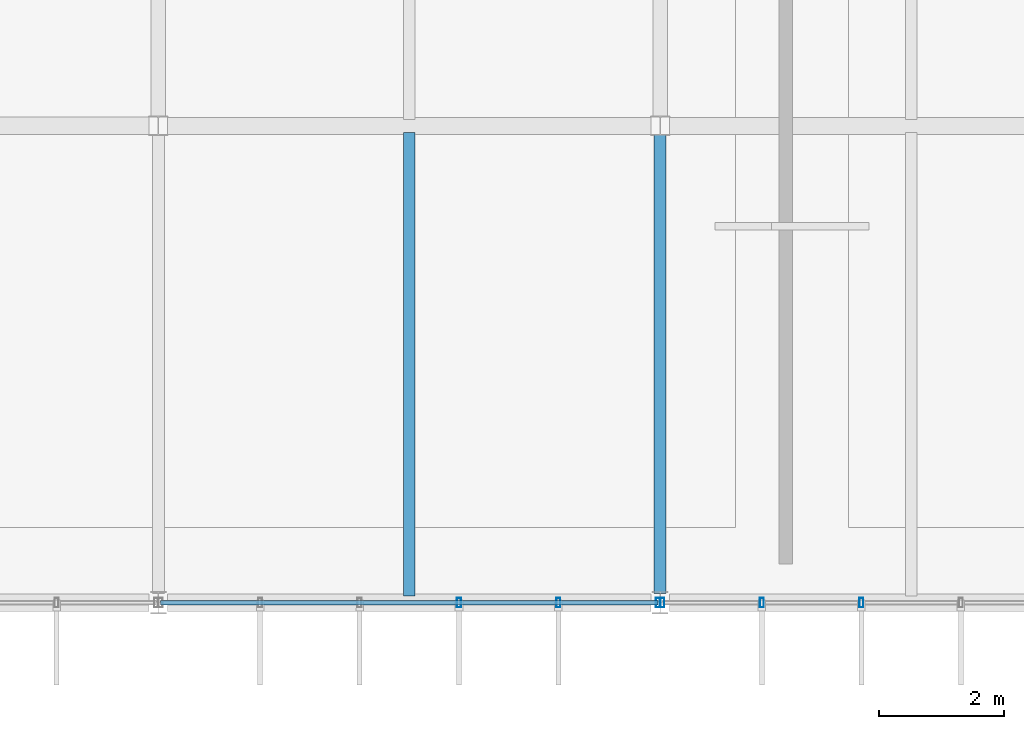
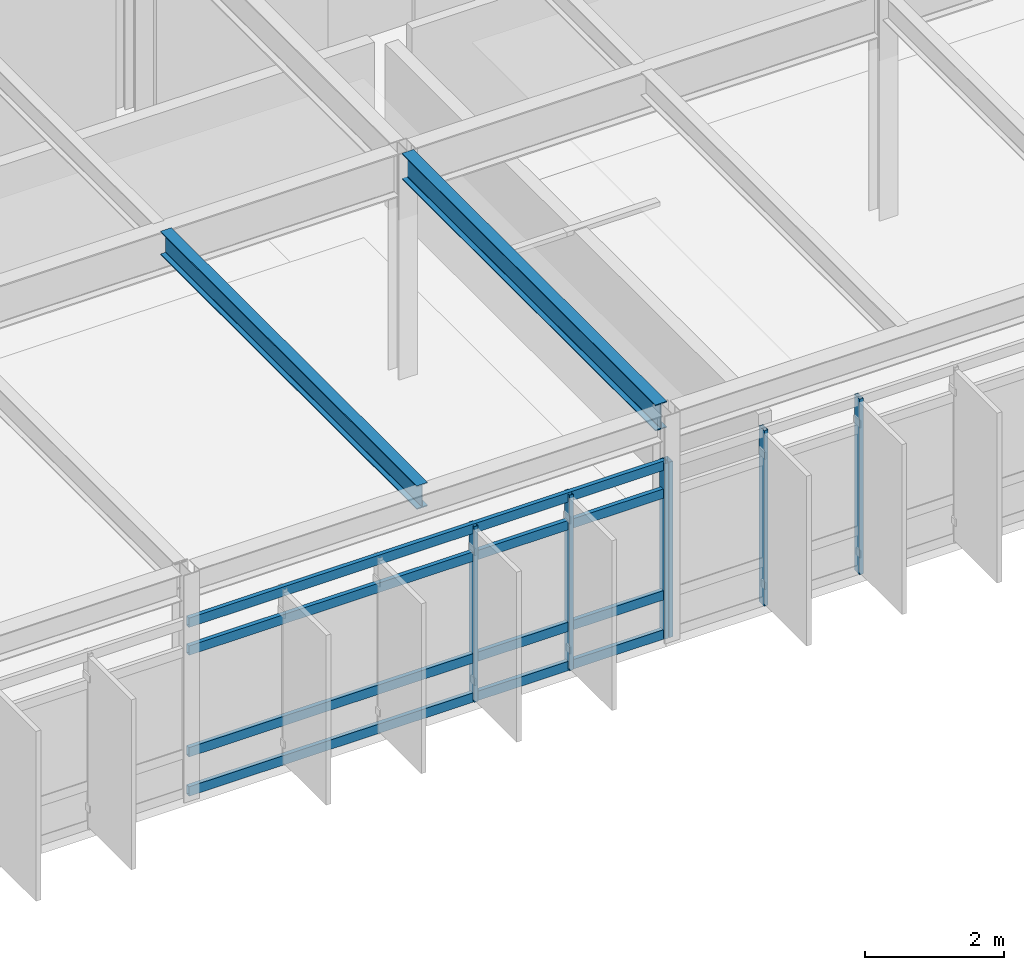
# One storey, part 6 of 21: 10 members, 2 beams, 2 elements without a shape of their own.
"""IFC4 building model written with IfcOpenShell, lengths in metres."""

from ifc_helpers import new_model, si_unit, direction, frame, origin, origin_2d, place, context, subcontext, project, spatial, hollow_rectangle, i_section, extrude, material, material_profile, profile_set, type_object, element, aggregate, save


model = new_model("IFC4")

# Units and contexts
model_context = context("Model", 3, precision=1e-05, world=origin(), true_north=direction((0.0, 1.0)))
body_context = subcontext(model_context, "Body", "Model", "MODEL_VIEW")
ifc_project = project(units=[si_unit("LENGTHUNIT", "METRE"), si_unit("AREAUNIT", "SQUARE_METRE"), si_unit("VOLUMEUNIT", "CUBIC_METRE"), si_unit("PLANEANGLEUNIT", "RADIAN"), si_unit("MASSUNIT", "GRAM", prefix="KILO")], contexts=[model_context])

# Site, building, storey
site_placement = place(None, origin())
site = spatial("IfcSite", under=ifc_project, at=site_placement, CompositionType="ELEMENT")
building_placement = place(site_placement, origin())
building = spatial("IfcBuilding", under=site, at=building_placement, Name="Zulena Civic Courthouse", CompositionType="ELEMENT")
storey_placement = place(building_placement, frame((0.0, 0.0, 37.800048828125)))
storey = spatial("IfcBuildingStorey", under=building, at=storey_placement, Name="L08", CompositionType="ELEMENT", Elevation=37.800048828125)

# Curtain wall, members
ifc_material_1 = material(Name="Double-silver low-E laminated solar-control glass", Category="glass")
curtain_wall_type = type_object("IfcCurtainWallType", Name="CW_7928x3090", PredefinedType="USERDEFINED", material=ifc_material_1)
curtain_wall_1_placement = place(storey_placement, origin())
curtain_wall_1 = element("IfcCurtainWall", 1, at=curtain_wall_1_placement, inside=storey, type_object=curtain_wall_type, Name="cw:V2:L08:3:3", ObjectType="UNITISED CURTAIN WALL", PredefinedType="USERDEFINED")
ifc_material_2 = material(Name="Bronze anodised thermally broken aluminium AA6063-T6", Category="aluminium")
ifc_material_profile_1 = material_profile(ifc_material_2, hollow_rectangle(XDim=0.06494140625, YDim=0.14990234375, WallThickness=0.00390625, at=origin_2d()), Name="CWM150X65X4")
ifc_profile_set_1 = profile_set([ifc_material_profile_1], Name="Bronze anodised thermally broken aluminium AA6063-T6")
member_type_1 = type_object("IfcMemberType", Name="CWMullion_150x65", PredefinedType="MULLION", material=ifc_profile_set_1)
member_1_placement = place(storey_placement, frame((39.207275390625, 0.0, 0.0), z_axis=(0.0, 0.0, 1.0), x_axis=(1.0, 0.0, 0.0)))
member_1 = element("IfcMember", 2, at=member_1_placement, type_object=member_type_1, Name="cw:V2:L08:3:3:mull:3", PredefinedType="MULLION", context=body_context, shape_type="SweptSolid", body=[
    extrude(hollow_rectangle(XDim=0.06494140625, YDim=0.14990234375, WallThickness=0.00390625, at=origin_2d()), origin(), (0.0, 0.0, 1.0), 3.08984375),
])
member_2_placement = place(storey_placement, frame((37.62158203125, 0.0, 0.0), z_axis=(0.0, 0.0, 1.0), x_axis=(1.0, 0.0, 0.0)))
member_2 = element("IfcMember", 3, at=member_2_placement, type_object=member_type_1, Name="cw:V2:L08:3:3:mull:4", PredefinedType="MULLION", context=body_context, shape_type="SweptSolid", body=[
    extrude(hollow_rectangle(XDim=0.06494140625, YDim=0.14990234375, WallThickness=0.00390625, at=origin_2d()), origin(), (0.0, 0.0, 1.0), 3.08984375),
])
member_3_placement = place(storey_placement, frame((36.035888671875, 0.0, 0.0), z_axis=(0.0, 0.0, 1.0), x_axis=(1.0, 0.0, 0.0)))
member_3 = element("IfcMember", 4, at=member_3_placement, type_object=member_type_1, Name="cw:V2:L08:3:3:mull:5", PredefinedType="MULLION", context=body_context, shape_type="SweptSolid", body=[
    extrude(hollow_rectangle(XDim=0.06494140625, YDim=0.14990234375, WallThickness=0.00390625, at=origin_2d()), origin(), (0.0, 0.0, 1.0), 3.08984375),
])
aggregate(curtain_wall_1, [member_1, member_2, member_3])

curtain_wall_2_placement = place(storey_placement, origin())
curtain_wall_2 = element("IfcCurtainWall", 5, at=curtain_wall_2_placement, inside=storey, type_object=curtain_wall_type, Name="cw:V2:L08:3:4", ObjectType="UNITISED CURTAIN WALL", PredefinedType="USERDEFINED")
member_4_placement = place(storey_placement, frame((35.964111328125, 0.0, 0.0), z_axis=(0.0, 0.0, 1.0), x_axis=(1.0, 0.0, 0.0)))
member_4 = element("IfcMember", 6, at=member_4_placement, type_object=member_type_1, Name="cw:V2:L08:3:4:mull:0", PredefinedType="MULLION", context=body_context, shape_type="SweptSolid", body=[
    extrude(hollow_rectangle(XDim=0.06494140625, YDim=0.14990234375, WallThickness=0.00390625, at=origin_2d()), origin(), (0.0, 0.0, 1.0), 3.08984375),
])
member_5_placement = place(storey_placement, frame((34.37841796875, 0.0, 0.0), z_axis=(0.0, 0.0, 1.0), x_axis=(1.0, 0.0, 0.0)))
member_5 = element("IfcMember", 7, at=member_5_placement, type_object=member_type_1, Name="cw:V2:L08:3:4:mull:1", PredefinedType="MULLION", context=body_context, shape_type="SweptSolid", body=[
    extrude(hollow_rectangle(XDim=0.06494140625, YDim=0.14990234375, WallThickness=0.00390625, at=origin_2d()), origin(), (0.0, 0.0, 1.0), 3.08984375),
])
member_6_placement = place(storey_placement, frame((32.792724609375, 0.0, 0.0), z_axis=(0.0, 0.0, 1.0), x_axis=(1.0, 0.0, 0.0)))
member_6 = element("IfcMember", 8, at=member_6_placement, type_object=member_type_1, Name="cw:V2:L08:3:4:mull:2", PredefinedType="MULLION", context=body_context, shape_type="SweptSolid", body=[
    extrude(hollow_rectangle(XDim=0.06494140625, YDim=0.14990234375, WallThickness=0.00390625, at=origin_2d()), origin(), (0.0, 0.0, 1.0), 3.08984375),
])
ifc_material_profile_2 = material_profile(ifc_material_2, hollow_rectangle(XDim=0.070068359375, YDim=0.1650390625, WallThickness=0.00390625, at=origin_2d()), Name="CWT165X70X4")
ifc_profile_set_2 = profile_set([ifc_material_profile_2], Name="Bronze anodised thermally broken aluminium AA6063-T6")
member_type_2 = type_object("IfcMemberType", Name="CWTransom_165x70", PredefinedType="USERDEFINED", material=ifc_profile_set_2)
member_7_placement = place(storey_placement, frame((35.964111328125, 0.0, 0.06005859375), z_axis=(-1.0, 0.0, 0.0), x_axis=(0.0, -1.0, 0.0)))
member_7 = element("IfcMember", 9, at=member_7_placement, type_object=member_type_2, Name="cw:V2:L08:3:4:tran:0", ObjectType="TRANSOM", PredefinedType="USERDEFINED", context=body_context, shape_type="SweptSolid", body=[
    extrude(hollow_rectangle(XDim=0.070068359375, YDim=0.1650390625, WallThickness=0.00390625, at=origin_2d()), origin(), (0.0, 0.0, 1.0), 7.92822265625),
])
member_8_placement = place(storey_placement, frame((35.964111328125, 0.0, 0.75), z_axis=(-1.0, 0.0, 0.0), x_axis=(0.0, -1.0, 0.0)))
member_8 = element("IfcMember", 10, at=member_8_placement, type_object=member_type_2, Name="cw:V2:L08:3:4:tran:1", ObjectType="TRANSOM", PredefinedType="USERDEFINED", context=body_context, shape_type="SweptSolid", body=[
    extrude(hollow_rectangle(XDim=0.070068359375, YDim=0.1650390625, WallThickness=0.00390625, at=origin_2d()), origin(), (0.0, 0.0, 1.0), 7.92822265625),
])
member_9_placement = place(storey_placement, frame((35.964111328125, 0.0, 2.5400390625), z_axis=(-1.0, 0.0, 0.0), x_axis=(0.0, -1.0, 0.0)))
member_9 = element("IfcMember", 11, at=member_9_placement, type_object=member_type_2, Name="cw:V2:L08:3:4:tran:2", ObjectType="TRANSOM", PredefinedType="USERDEFINED", context=body_context, shape_type="SweptSolid", body=[
    extrude(hollow_rectangle(XDim=0.070068359375, YDim=0.1650390625, WallThickness=0.00390625, at=origin_2d()), origin(), (0.0, 0.0, 1.0), 7.92822265625),
])
member_10_placement = place(storey_placement, frame((35.964111328125, 0.0, 3.030029296875), z_axis=(-1.0, 0.0, 0.0), x_axis=(0.0, -1.0, 0.0)))
member_10 = element("IfcMember", 12, at=member_10_placement, type_object=member_type_2, Name="cw:V2:L08:3:4:tran:3", ObjectType="TRANSOM", PredefinedType="USERDEFINED", context=body_context, shape_type="SweptSolid", body=[
    extrude(hollow_rectangle(XDim=0.070068359375, YDim=0.1650390625, WallThickness=0.00390625, at=origin_2d()), origin(), (0.0, 0.0, 1.0), 7.92822265625),
])
aggregate(curtain_wall_2, [member_4, member_5, member_6, member_7, member_8, member_9, member_10])

# Beams
ifc_material_3 = material(Name="Steel ASTM A992 Grade 50", Category="steel")
ifc_material_profile_3 = material_profile(ifc_material_3, i_section(OverallWidth=0.180908203125, OverallDepth=0.4169921875, WebThickness=0.010986328125, FlangeThickness=0.018310546875, FilletRadius=0.01025390625, at=origin_2d()), Name="W16X57")
ifc_profile_set_3 = profile_set([ifc_material_profile_3], Name="Steel ASTM A992 Grade 50")
beam_type_1 = type_object("IfcBeamType", Name="Joist_W16X57", PredefinedType="JOIST", material=ifc_profile_set_3)
beam_1_placement = place(storey_placement, frame((32.0, 0.10498046875, 3.79150390625), z_axis=(0.0, 1.0, 0.0), x_axis=(-1.0, 0.0, 0.0)))
element("IfcBeam", 13, at=beam_1_placement, inside=storey, type_object=beam_type_1, Name="joist:V2:L08:32.00:0.0_7.6", PredefinedType="JOIST", context=body_context, shape_type="SweptSolid", body=[
    extrude(i_section(OverallWidth=0.180908203125, OverallDepth=0.4169921875, WebThickness=0.010986328125, FlangeThickness=0.018310546875, FilletRadius=0.01025390625, at=origin_2d()), origin(), (0.0, 0.0, 1.0), 7.39013671875),
])
ifc_material_profile_4 = material_profile(ifc_material_3, i_section(OverallWidth=0.19091796875, OverallDepth=0.4599609375, WebThickness=0.010009765625, FlangeThickness=0.01611328125, FilletRadius=0.01025390625, at=origin_2d()), Name="W18X55")
ifc_profile_set_4 = profile_set([ifc_material_profile_4], Name="Steel ASTM A992 Grade 50")
beam_type_2 = type_object("IfcBeamType", Name="Spandrel_W18X55", PredefinedType="SPANDREL", material=ifc_profile_set_4)
beam_2_placement = place(storey_placement, frame((36.0, 0.14501953125, 3.77001953125), z_axis=(0.0, 1.0, 0.0), x_axis=(-1.0, 0.0, 0.0)))
element("IfcBeam", 14, at=beam_2_placement, inside=storey, type_object=beam_type_2, Name="beam:Y:V2:L08:36.0:0.0_7.6", PredefinedType="SPANDREL", context=body_context, shape_type="SweptSolid", body=[
    extrude(i_section(OverallWidth=0.19091796875, OverallDepth=0.4599609375, WebThickness=0.010009765625, FlangeThickness=0.01611328125, FilletRadius=0.01025390625, at=origin_2d()), origin(), (0.0, 0.0, 1.0), 7.31005859375),
])

save(model, "model.ifc")
